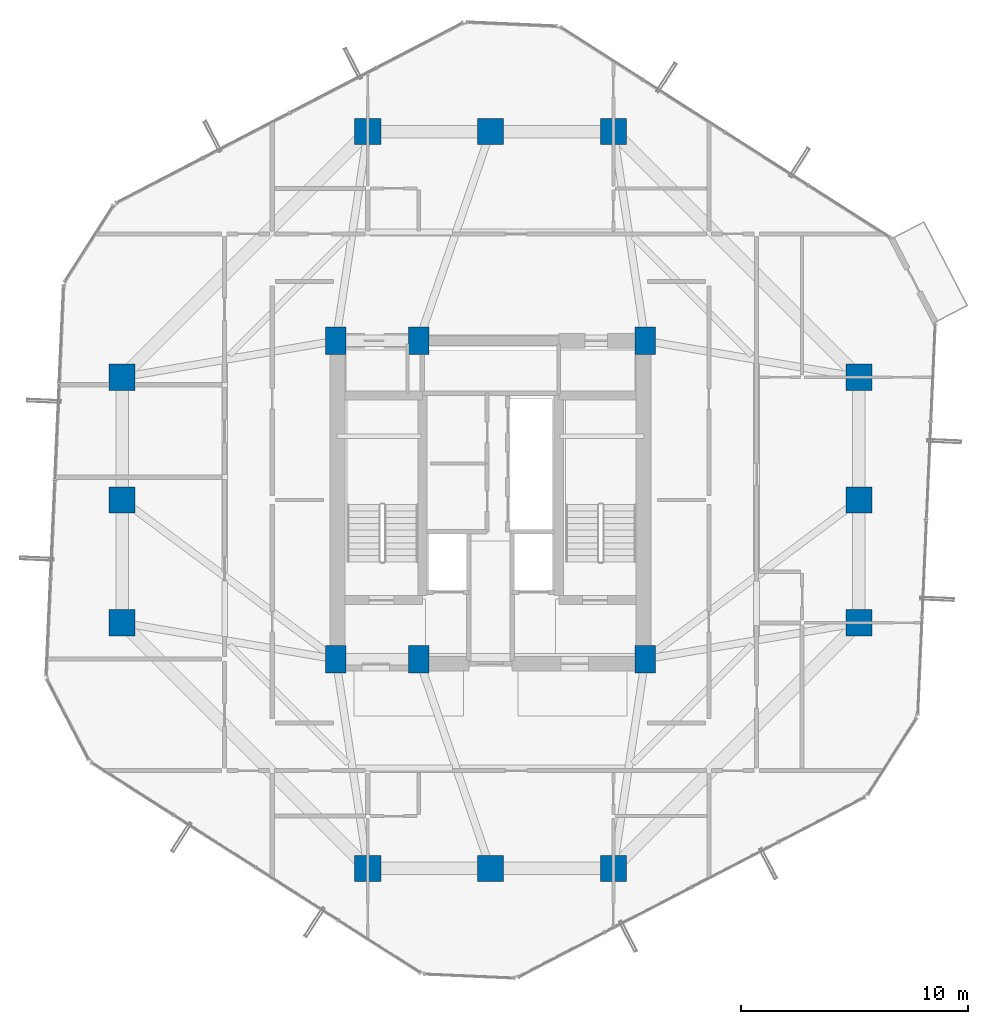
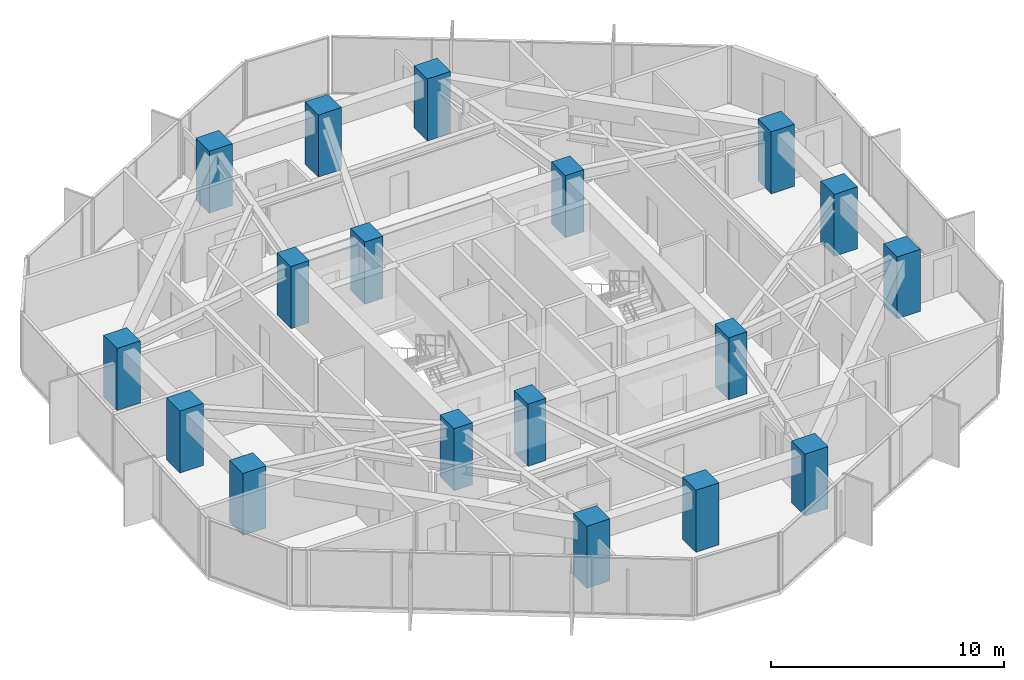
# One storey, part 1 of 30: 18 columns.
"""IFC4 building model written with IfcOpenShell, lengths in metres."""

from ifc_helpers import new_model, si_unit, direction, frame, origin, origin_2d, place, context, subcontext, project, spatial, rectangle, extrude, material, material_profile, profile_set, type_object, element, save


model = new_model("IFC4")

# Units and contexts
model_context = context("Model", 3, precision=1e-05, world=origin(), true_north=direction((0.0, 1.0)))
body_context = subcontext(model_context, "Body", "Model", "MODEL_VIEW")
ifc_project = project(units=[si_unit("LENGTHUNIT", "METRE"), si_unit("AREAUNIT", "SQUARE_METRE"), si_unit("VOLUMEUNIT", "CUBIC_METRE"), si_unit("PLANEANGLEUNIT", "RADIAN"), si_unit("MASSUNIT", "GRAM", prefix="KILO")], contexts=[model_context])

# Site, building, storey
site_placement = place(None, origin())
site = spatial("IfcSite", under=ifc_project, at=site_placement, CompositionType="ELEMENT")
building_placement = place(site_placement, origin())
building = spatial("IfcBuilding", under=site, at=building_placement, Name="Veraguas Prism Commons", CompositionType="ELEMENT")
storey_placement = place(building_placement, frame((0.0, 0.0, 119.75)))
storey = spatial("IfcBuildingStorey", under=building, at=storey_placement, Name="L33", CompositionType="ELEMENT", Elevation=119.75)

# Columns
ifc_material = material(Name="Concrete C60/75", Category="concrete")
ifc_material_profile_1 = material_profile(ifc_material, rectangle(XDim=1.14990234375, YDim=1.14990234375, at=origin_2d()), Name="RC1150X1150")
ifc_profile_set_1 = profile_set([ifc_material_profile_1], Name="Concrete C60/75")
column_type_1 = type_object("IfcColumnType", Name="Column Tube Z2 RC 1150x1150", PredefinedType="COLUMN", material=ifc_profile_set_1)
for number, where, z_axis, x_axis, name in (
    (1, (40.199951171875, 18.60009765625, 0.0), (0.0, 0.0, 1.0), (1.0, 0.0, 0.0), "Tower Perimeter Column L33-TB01"),
    (2, (40.199951171875, 24.0, 0.0), (0.0, 0.0, 1.0), (1.0, 0.0, 0.0), "Tower Perimeter Column L33-TB02"),
    (3, (40.199951171875, 29.39990234375, 0.0), (0.0, 0.0, 1.0), (1.0, 0.0, 0.0), "Tower Perimeter Column L33-TB03"),
    (4, (29.39990234375, 40.199951171875, 0.0), (0.0, 0.0, 1.0), (1.0, 0.0, 0.0), "Tower Perimeter Column L33-TB04"),
    (5, (24.0, 40.199951171875, 0.0), (0.0, 0.0, 1.0), (1.0, 0.0, 0.0), "Tower Perimeter Column L33-TB05"),
    (6, (18.60009765625, 40.199951171875, 0.0), (0.0, 0.0, 1.0), (1.0, 0.0, 0.0), "Tower Perimeter Column L33-TB06"),
    (7, (7.800048828125, 29.39990234375, 0.0), (0.0, 0.0, 1.0), (1.0, 0.0, 0.0), "Tower Perimeter Column L33-TB07"),
    (8, (7.800048828125, 24.0, 0.0), (0.0, 0.0, 1.0), (1.0, 0.0, 0.0), "Tower Perimeter Column L33-TB08"),
    (9, (7.800048828125, 18.60009765625, 0.0), (0.0, 0.0, 1.0), (1.0, 0.0, 0.0), "Tower Perimeter Column L33-TB09"),
    (10, (18.60009765625, 7.800048828125, 0.0), (0.0, 0.0, 1.0), (1.0, 0.0, 0.0), "Tower Perimeter Column L33-TB10"),
    (11, (24.0, 7.800048828125, 0.0), (0.0, 0.0, 1.0), (1.0, 0.0, 0.0), "Tower Perimeter Column L33-TB11"),
    (12, (29.39990234375, 7.800048828125, 0.0), (0.0, 0.0, 1.0), (1.0, 0.0, 0.0), "Tower Perimeter Column L33-TB12"),
):
    element("IfcColumn", number, at=place(storey_placement, frame(where, z_axis=z_axis, x_axis=x_axis)), inside=storey, type_object=column_type_1, Name=name, PredefinedType="COLUMN", context=body_context, shape_type="SweptSolid", body=[
        extrude(rectangle(XDim=1.14990234375, YDim=1.14990234375, at=origin_2d()), origin(), (0.0, 0.0, 1.0), 3.25),
    ])
ifc_material_profile_2 = material_profile(ifc_material, rectangle(XDim=0.89990234375, YDim=1.199951171875, at=origin_2d()), Name="RC900X1200")
ifc_profile_set_2 = profile_set([ifc_material_profile_2], Name="Concrete C60/75")
column_type_2 = type_object("IfcColumnType", Name="Pilaster Core Lower RC 900x1200", PredefinedType="PILASTER", material=ifc_profile_set_2)
for number, where, z_axis, x_axis, name in (
    (13, (17.199951171875, 17.0, 0.0), (0.0, 0.0, 1.0), (1.0, 0.0, 0.0), "Core Pilaster Column L33-CR1"),
    (14, (20.85009765625, 17.0, 0.0), (0.0, 0.0, 1.0), (1.0, 0.0, 0.0), "Core Pilaster Column L33-CR2"),
    (15, (30.800048828125, 17.0, 0.0), (0.0, 0.0, 1.0), (1.0, 0.0, 0.0), "Core Pilaster Column L33-CR3"),
    (16, (17.199951171875, 31.0, 0.0), (0.0, 0.0, 1.0), (1.0, 0.0, 0.0), "Core Pilaster Column L33-CR4"),
    (17, (20.85009765625, 31.0, 0.0), (0.0, 0.0, 1.0), (1.0, 0.0, 0.0), "Core Pilaster Column L33-CR5"),
    (18, (30.800048828125, 31.0, 0.0), (0.0, 0.0, 1.0), (1.0, 0.0, 0.0), "Core Pilaster Column L33-CR6"),
):
    element("IfcColumn", number, at=place(storey_placement, frame(where, z_axis=z_axis, x_axis=x_axis)), inside=storey, type_object=column_type_2, Name=name, PredefinedType="PILASTER", context=body_context, shape_type="SweptSolid", body=[
        extrude(rectangle(XDim=0.89990234375, YDim=1.199951171875, at=origin_2d()), origin(), (0.0, 0.0, 1.0), 3.25),
    ])

save(model, "model.ifc")
